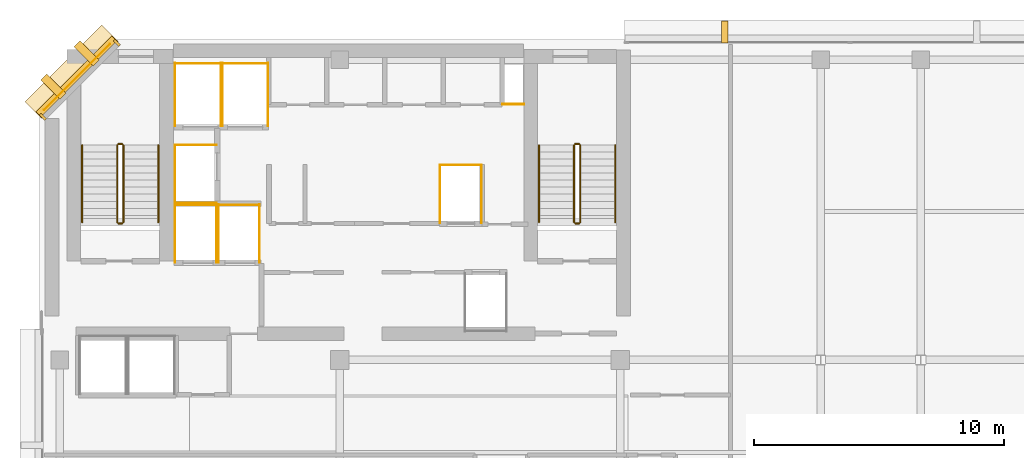
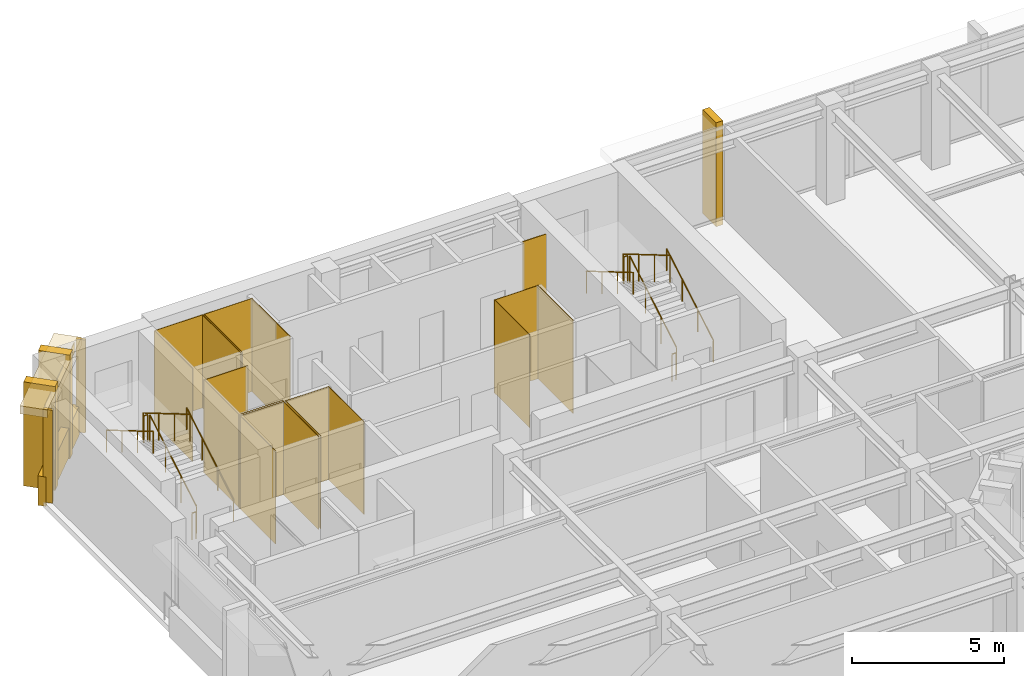
# One storey, part 11 of 12: 27 coverings, 12 railings.
"""IFC4 building model written with IfcOpenShell, lengths in metres."""

from ifc_helpers import new_model, si_unit, direction, frame, origin, origin_2d, place, context, subcontext, project, spatial, polyline, rectangle, circle, outline, extrude, material, layer, layer_set, type_object, element, save


model = new_model("IFC4")

# Units and contexts
model_context = context("Model", 3, precision=1e-05, world=origin(), true_north=direction((0.0, 1.0)))
body_context = subcontext(model_context, "Body", "Model", "MODEL_VIEW")
ifc_project = project(units=[si_unit("LENGTHUNIT", "METRE"), si_unit("AREAUNIT", "SQUARE_METRE"), si_unit("VOLUMEUNIT", "CUBIC_METRE"), si_unit("PLANEANGLEUNIT", "RADIAN"), si_unit("MASSUNIT", "GRAM", prefix="KILO")], contexts=[model_context])

# Site, building, storey
site_placement = place(None, origin())
site = spatial("IfcSite", under=ifc_project, at=site_placement, CompositionType="ELEMENT")
building_placement = place(site_placement, origin())
building = spatial("IfcBuilding", under=site, at=building_placement, Name="Kefirva Bronze Tower", CompositionType="ELEMENT")
storey_placement = place(building_placement, frame((0.0, 0.0, 327.68994140625)))
storey = spatial("IfcBuildingStorey", under=building, at=storey_placement, Name="L80", CompositionType="ELEMENT", Elevation=327.68994140625)

# Coverings
ifc_material_1 = material(Name="Bronze anodised aluminium", Category="aluminium")
ifc_layer_1 = layer(ifc_material_1, 0.02001953125, Name="Bronze anodised aluminium")
ifc_layer_set_1 = layer_set([ifc_layer_1], Name="Bronze anodised aluminium")
covering_type_1 = type_object("IfcCoveringType", Name="Anodised Bronze Spandrel Cladding 20mm", PredefinedType="CLADDING", material=ifc_layer_set_1)
covering_1_placement = place(storey_placement, frame((1.492919921875, 44.507080078125, 3.320068359375), z_axis=(0.0, 0.0, 1.0), x_axis=(-0.707106781187, -0.707106781187, 0.0)))
element("IfcCovering", 1, at=covering_1_placement, inside=storey, type_object=covering_type_1, Name="L80 Bronze Spandrel Cladding 9", PredefinedType="CLADDING", context=body_context, shape_type="SweptSolid", body=[
    extrude(rectangle(XDim=3.719482421875, YDim=0.02001953125, at=origin_2d()), origin(), (0.0, 0.0, 1.0), 0.39990234375),
])
for number, where, z_axis, x_axis, name in (
    (2, (3.08837890625, 45.862060546875, 0.0), (0.0, 0.0, 1.0), (-0.707106781187, -0.707106781187, 0.0), "L80 Facade Joint Closure Panel 9S"),
    (3, (0.137939453125, 42.91162109375, 0.0), (0.0, 0.0, 1.0), (-0.707106781187, -0.707106781187, 0.0), "L80 Facade Joint Closure Panel 9E"),
):
    element("IfcCovering", number, at=place(storey_placement, frame(where, z_axis=z_axis, x_axis=x_axis)), inside=storey, type_object=covering_type_1, Name=name, PredefinedType="CLADDING", context=body_context, shape_type="SweptSolid", body=[
        extrude(rectangle(XDim=0.10009765625, YDim=0.320068359375, at=origin_2d()), origin(), (0.0, 0.0, 1.0), 3.739990234375),
    ])
covering_2_placement = place(storey_placement, frame((1.4716796875, 44.5283203125, -0.15966796875), z_axis=(0.0, 0.0, 1.0), x_axis=(-0.707106781187, -0.707106781187, 0.0)))
element("IfcCovering", 4, at=covering_2_placement, inside=storey, type_object=covering_type_1, Name="L80 Streamline Horizontal Spandrel Band 13", PredefinedType="CLADDING", context=body_context, shape_type="SweptSolid", body=[
    extrude(rectangle(XDim=4.28271484375, YDim=0.280029296875, at=origin_2d()), origin(), (0.0, 0.0, 1.0), 1.179931640625),
])
covering_3_placement = place(storey_placement, origin())
element("IfcCovering", 5, at=covering_3_placement, inside=storey, type_object=covering_type_1, Name="L80 Lift FF1 Hoistway Liner N", PredefinedType="CLADDING", context=body_context, shape_type="SweptSolid", body=[
    extrude(outline(polyline([(5.39990234375, 39.389892578125), (7.080078125, 39.389892578125), (7.080078125, 39.409912109375), (5.39990234375, 39.409912109375), (5.39990234375, 39.389892578125)])), origin(), (0.0, 0.0, 1.0), 3.739990234375),
])
covering_4_placement = place(storey_placement, origin())
element("IfcCovering", 6, at=covering_4_placement, inside=storey, type_object=covering_type_1, Name="L80 Lift FF1 Hoistway Liner W", PredefinedType="CLADDING", context=body_context, shape_type="SweptSolid", body=[
    extrude(outline(polyline([(5.409912109375, 37.080078125), (5.429931640625, 37.080078125), (5.429931640625, 39.419921875), (5.409912109375, 39.419921875), (5.409912109375, 37.080078125)])), origin(), (0.0, 0.0, 1.0), 3.739990234375),
])
covering_5_placement = place(storey_placement, origin())
element("IfcCovering", 7, at=covering_5_placement, inside=storey, type_object=covering_type_1, Name="L80 Lift FF1 Hoistway Liner E", PredefinedType="CLADDING", context=body_context, shape_type="SweptSolid", body=[
    extrude(outline(polyline([(7.050048828125, 37.080078125), (7.070068359375, 37.080078125), (7.070068359375, 39.419921875), (7.050048828125, 39.419921875), (7.050048828125, 37.080078125)])), origin(), (0.0, 0.0, 1.0), 3.739990234375),
])
covering_6_placement = place(storey_placement, origin())
element("IfcCovering", 8, at=covering_6_placement, inside=storey, type_object=covering_type_1, Name="L80 Lift FF2 Hoistway Liner N", PredefinedType="CLADDING", context=body_context, shape_type="SweptSolid", body=[
    extrude(outline(polyline([(7.1201171875, 39.389892578125), (8.800048828125, 39.389892578125), (8.800048828125, 39.409912109375), (7.1201171875, 39.409912109375), (7.1201171875, 39.389892578125)])), origin(), (0.0, 0.0, 1.0), 3.739990234375),
])
covering_7_placement = place(storey_placement, origin())
element("IfcCovering", 9, at=covering_7_placement, inside=storey, type_object=covering_type_1, Name="L80 Lift FF2 Hoistway Liner W", PredefinedType="CLADDING", context=body_context, shape_type="SweptSolid", body=[
    extrude(outline(polyline([(7.1298828125, 37.080078125), (7.14990234375, 37.080078125), (7.14990234375, 39.419921875), (7.1298828125, 39.419921875), (7.1298828125, 37.080078125)])), origin(), (0.0, 0.0, 1.0), 3.739990234375),
])
covering_8_placement = place(storey_placement, origin())
element("IfcCovering", 10, at=covering_8_placement, inside=storey, type_object=covering_type_1, Name="L80 Lift FF2 Hoistway Liner E", PredefinedType="CLADDING", context=body_context, shape_type="SweptSolid", body=[
    extrude(outline(polyline([(8.77001953125, 37.080078125), (8.7900390625, 37.080078125), (8.7900390625, 39.419921875), (8.77001953125, 39.419921875), (8.77001953125, 37.080078125)])), origin(), (0.0, 0.0, 1.0), 3.739990234375),
])
covering_9_placement = place(storey_placement, origin())
element("IfcCovering", 11, at=covering_9_placement, inside=storey, type_object=covering_type_1, Name="L80 Lift SV1 Hoistway Liner N", PredefinedType="CLADDING", context=body_context, shape_type="SweptSolid", body=[
    extrude(outline(polyline([(5.39990234375, 45.0400390625), (7.260009765625, 45.0400390625), (7.260009765625, 45.06005859375), (5.39990234375, 45.06005859375), (5.39990234375, 45.0400390625)])), origin(), (0.0, 0.0, 1.0), 3.739990234375),
])
covering_10_placement = place(storey_placement, origin())
element("IfcCovering", 12, at=covering_10_placement, inside=storey, type_object=covering_type_1, Name="L80 Lift SV1 Hoistway Liner W", PredefinedType="CLADDING", context=body_context, shape_type="SweptSolid", body=[
    extrude(outline(polyline([(5.409912109375, 42.530029296875), (5.429931640625, 42.530029296875), (5.429931640625, 45.070068359375), (5.409912109375, 45.070068359375), (5.409912109375, 42.530029296875)])), origin(), (0.0, 0.0, 1.0), 3.739990234375),
])
covering_11_placement = place(storey_placement, origin())
element("IfcCovering", 13, at=covering_11_placement, inside=storey, type_object=covering_type_1, Name="L80 Lift SV1 Hoistway Liner E", PredefinedType="CLADDING", context=body_context, shape_type="SweptSolid", body=[
    extrude(outline(polyline([(7.22998046875, 42.530029296875), (7.25, 42.530029296875), (7.25, 45.070068359375), (7.22998046875, 45.070068359375), (7.22998046875, 42.530029296875)])), origin(), (0.0, 0.0, 1.0), 3.739990234375),
])
covering_12_placement = place(storey_placement, origin())
element("IfcCovering", 14, at=covering_12_placement, inside=storey, type_object=covering_type_1, Name="L80 Lift SV2 Hoistway Liner N", PredefinedType="CLADDING", context=body_context, shape_type="SweptSolid", body=[
    extrude(outline(polyline([(7.280029296875, 45.0400390625), (9.139892578125, 45.0400390625), (9.139892578125, 45.06005859375), (7.280029296875, 45.06005859375), (7.280029296875, 45.0400390625)])), origin(), (0.0, 0.0, 1.0), 3.739990234375),
])
covering_13_placement = place(storey_placement, origin())
element("IfcCovering", 15, at=covering_13_placement, inside=storey, type_object=covering_type_1, Name="L80 Lift SV2 Hoistway Liner W", PredefinedType="CLADDING", context=body_context, shape_type="SweptSolid", body=[
    extrude(outline(polyline([(7.2900390625, 42.530029296875), (7.31005859375, 42.530029296875), (7.31005859375, 45.070068359375), (7.2900390625, 45.070068359375), (7.2900390625, 42.530029296875)])), origin(), (0.0, 0.0, 1.0), 3.739990234375),
])
covering_14_placement = place(storey_placement, origin())
element("IfcCovering", 16, at=covering_14_placement, inside=storey, type_object=covering_type_1, Name="L80 Lift SV2 Hoistway Liner E", PredefinedType="CLADDING", context=body_context, shape_type="SweptSolid", body=[
    extrude(outline(polyline([(9.110107421875, 42.530029296875), (9.1298828125, 42.530029296875), (9.1298828125, 45.070068359375), (9.110107421875, 45.070068359375), (9.110107421875, 42.530029296875)])), origin(), (0.0, 0.0, 1.0), 3.739990234375),
])
covering_15_placement = place(storey_placement, origin())
element("IfcCovering", 17, at=covering_15_placement, inside=storey, type_object=covering_type_1, Name="L80 Lift HP2 Hoistway Liner N", PredefinedType="CLADDING", context=body_context, shape_type="SweptSolid", body=[
    extrude(outline(polyline([(15.97998046875, 40.969970703125), (17.669921875, 40.969970703125), (17.669921875, 40.989990234375), (15.97998046875, 40.989990234375), (15.97998046875, 40.969970703125)])), origin(), (0.0, 0.0, 1.0), 3.739990234375),
])
covering_16_placement = place(storey_placement, origin())
element("IfcCovering", 18, at=covering_16_placement, inside=storey, type_object=covering_type_1, Name="L80 Lift HP2 Hoistway Liner W", PredefinedType="CLADDING", context=body_context, shape_type="SweptSolid", body=[
    extrude(outline(polyline([(15.989990234375, 38.659912109375), (16.010009765625, 38.659912109375), (16.010009765625, 41.0), (15.989990234375, 41.0), (15.989990234375, 38.659912109375)])), origin(), (0.0, 0.0, 1.0), 3.739990234375),
])
covering_17_placement = place(storey_placement, origin())
element("IfcCovering", 19, at=covering_17_placement, inside=storey, type_object=covering_type_1, Name="L80 Lift HP2 Hoistway Liner E", PredefinedType="CLADDING", context=body_context, shape_type="SweptSolid", body=[
    extrude(outline(polyline([(17.639892578125, 38.659912109375), (17.659912109375, 38.659912109375), (17.659912109375, 41.0), (17.639892578125, 41.0), (17.639892578125, 38.659912109375)])), origin(), (0.0, 0.0, 1.0), 3.739990234375),
])
covering_18_placement = place(storey_placement, origin())
element("IfcCovering", 20, at=covering_18_placement, inside=storey, type_object=covering_type_1, Name="L80 Lift HP3 Hoistway Liner N", PredefinedType="CLADDING", context=body_context, shape_type="SweptSolid", body=[
    extrude(outline(polyline([(5.39990234375, 41.77001953125), (7.080078125, 41.77001953125), (7.080078125, 41.7900390625), (5.39990234375, 41.7900390625), (5.39990234375, 41.77001953125)])), origin(), (0.0, 0.0, 1.0), 3.739990234375),
])
covering_19_placement = place(storey_placement, origin())
element("IfcCovering", 21, at=covering_19_placement, inside=storey, type_object=covering_type_1, Name="L80 Lift HP3 Hoistway Liner S", PredefinedType="CLADDING", context=body_context, shape_type="SweptSolid", body=[
    extrude(outline(polyline([(5.39990234375, 39.469970703125), (7.080078125, 39.469970703125), (7.080078125, 39.489990234375), (5.39990234375, 39.489990234375), (5.39990234375, 39.469970703125)])), origin(), (0.0, 0.0, 1.0), 3.739990234375),
])
covering_20_placement = place(storey_placement, origin())
element("IfcCovering", 22, at=covering_20_placement, inside=storey, type_object=covering_type_1, Name="L80 Lift HP3 Hoistway Liner W", PredefinedType="CLADDING", context=body_context, shape_type="SweptSolid", body=[
    extrude(outline(polyline([(5.409912109375, 39.4599609375), (5.429931640625, 39.4599609375), (5.429931640625, 41.800048828125), (5.409912109375, 41.800048828125), (5.409912109375, 39.4599609375)])), origin(), (0.0, 0.0, 1.0), 3.739990234375),
])
covering_21_placement = place(storey_placement, origin())
element("IfcCovering", 23, at=covering_21_placement, inside=storey, type_object=covering_type_1, Name="L80 Core MEP Riser Shaft Liner South", PredefinedType="CLADDING", context=body_context, shape_type="SweptSolid", body=[
    extrude(outline(polyline([(18.47998046875, 43.39990234375), (19.360107421875, 43.39990234375), (19.360107421875, 43.429931640625), (18.47998046875, 43.429931640625), (18.47998046875, 43.39990234375)])), origin(), (0.0, 0.0, 1.0), 3.739990234375),
])

# Railings
ifc_material_2 = material(Name="Stainless steel 316", Category="steel")
railing_type_1 = type_object("IfcRailingType", Name="Interior Stair Guardrail 1100mm", PredefinedType="GUARDRAIL", material=ifc_material_2)
railing_1_placement = place(storey_placement, frame((3.35009765625, 38.699951171875, 0.1650390625)))
element("IfcRailing", 24, at=railing_1_placement, inside=storey, type_object=railing_type_1, Name="L80 ST-1 stair guard 1", PredefinedType="GUARDRAIL", context=body_context, shape_type="SweptSolid", body=[
    extrude(circle(Radius=0.02392578125, at=origin_2d()), frame((0.0, 0.0, 1.076171875), z_axis=(0.0, 0.861551262678, 0.507670583921), x_axis=(-1.0, 0.0, 0.0)), (0.0, 0.0, 1.0), 3.574951171875),
    extrude(circle(Radius=0.02099609375, at=origin_2d()), origin(), (0.0, 0.0, 1.0), 1.052001953125),
    extrude(circle(Radius=0.02099609375, at=origin_2d()), frame((0.0, 1.026611328125, 0.60498046875)), (0.0, 0.0, 1.0), 1.052001953125),
    extrude(circle(Radius=0.02099609375, at=origin_2d()), frame((0.0, 2.053466796875, 1.2099609375)), (0.0, 0.0, 1.0), 1.052001953125),
    extrude(circle(Radius=0.02099609375, at=origin_2d()), frame((0.0, 3.080078125, 1.81494140625)), (0.0, 0.0, 1.0), 1.052001953125),
])
railing_2_placement = place(storey_placement, frame((3.300048828125, 41.830078125, 1.97998046875)))
element("IfcRailing", 25, at=railing_2_placement, inside=storey, type_object=railing_type_1, Name="L80 ST-1 stair guard 2", PredefinedType="GUARDRAIL", context=body_context, shape_type="SweptSolid", body=[
    extrude(circle(Radius=0.02392578125, at=origin_2d()), frame((0.0, 0.0, 1.076171875), z_axis=(-1.0, 0.0, 0.0), x_axis=(0.0, -1.0, 0.0)), (0.0, 0.0, 1.0), 0.150146484375),
    extrude(circle(Radius=0.02099609375, at=origin_2d()), origin(), (0.0, 0.0, 1.0), 1.052001953125),
    extrude(circle(Radius=0.02099609375, at=origin_2d()), frame((-0.150146484375, 0.0, 0.0)), (0.0, 0.0, 1.0), 1.052001953125),
])
railing_3_placement = place(storey_placement, frame((3.10009765625, 41.780029296875, 2.14501953125)))
element("IfcRailing", 26, at=railing_3_placement, inside=storey, type_object=railing_type_1, Name="L80 ST-1 stair guard 3", PredefinedType="GUARDRAIL", context=body_context, shape_type="SweptSolid", body=[
    extrude(circle(Radius=0.02392578125, at=origin_2d()), frame((0.0, 0.0, 1.076171875), z_axis=(0.0, -0.861551262678, 0.507670583921), x_axis=(1.0, 0.0, 0.0)), (0.0, 0.0, 1.0), 3.574951171875),
    extrude(circle(Radius=0.02099609375, at=origin_2d()), origin(), (0.0, 0.0, 1.0), 1.052001953125),
    extrude(circle(Radius=0.02099609375, at=origin_2d()), frame((0.0, -1.026611328125, 0.60498046875)), (0.0, 0.0, 1.0), 1.052001953125),
    extrude(circle(Radius=0.02099609375, at=origin_2d()), frame((0.0, -2.053466796875, 1.2099609375)), (0.0, 0.0, 1.0), 1.052001953125),
    extrude(circle(Radius=0.02099609375, at=origin_2d()), frame((0.0, -3.080078125, 1.81494140625)), (0.0, 0.0, 1.0), 1.052001953125),
])
railing_4_placement = place(storey_placement, frame((3.300048828125, 38.64990234375, 0.0)))
element("IfcRailing", 27, at=railing_4_placement, inside=storey, type_object=railing_type_1, Name="L80 ST-1 stair guard 4", PredefinedType="GUARDRAIL", context=body_context, shape_type="SweptSolid", body=[
    extrude(circle(Radius=0.02392578125, at=origin_2d()), frame((0.0, 0.0, 1.076171875), z_axis=(-1.0, 0.0, 0.0), x_axis=(0.0, -1.0, 0.0)), (0.0, 0.0, 1.0), 0.150146484375),
    extrude(circle(Radius=0.02099609375, at=origin_2d()), origin(), (0.0, 0.0, 1.0), 1.052001953125),
    extrude(circle(Radius=0.02099609375, at=origin_2d()), frame((-0.150146484375, 0.0, 0.0)), (0.0, 0.0, 1.0), 1.052001953125),
])
railing_5_placement = place(storey_placement, frame((21.60009765625, 38.699951171875, 0.1650390625)))
element("IfcRailing", 28, at=railing_5_placement, inside=storey, type_object=railing_type_1, Name="L80 ST-2 stair guard 1", PredefinedType="GUARDRAIL", context=body_context, shape_type="SweptSolid", body=[
    extrude(circle(Radius=0.02392578125, at=origin_2d()), frame((0.0, 0.0, 1.076171875), z_axis=(0.0, 0.861551262678, 0.507670583921), x_axis=(-1.0, 0.0, 0.0)), (0.0, 0.0, 1.0), 3.574951171875),
    extrude(circle(Radius=0.02099609375, at=origin_2d()), origin(), (0.0, 0.0, 1.0), 1.052001953125),
    extrude(circle(Radius=0.02099609375, at=origin_2d()), frame((0.0, 1.026611328125, 0.60498046875)), (0.0, 0.0, 1.0), 1.052001953125),
    extrude(circle(Radius=0.02099609375, at=origin_2d()), frame((0.0, 2.053466796875, 1.2099609375)), (0.0, 0.0, 1.0), 1.052001953125),
    extrude(circle(Radius=0.02099609375, at=origin_2d()), frame((0.0, 3.080078125, 1.81494140625)), (0.0, 0.0, 1.0), 1.052001953125),
])
railing_6_placement = place(storey_placement, frame((21.550048828125, 41.830078125, 1.97998046875)))
element("IfcRailing", 29, at=railing_6_placement, inside=storey, type_object=railing_type_1, Name="L80 ST-2 stair guard 2", PredefinedType="GUARDRAIL", context=body_context, shape_type="SweptSolid", body=[
    extrude(circle(Radius=0.02392578125, at=origin_2d()), frame((0.0, 0.0, 1.076171875), z_axis=(-1.0, 0.0, 0.0), x_axis=(0.0, -1.0, 0.0)), (0.0, 0.0, 1.0), 0.150146484375),
    extrude(circle(Radius=0.02099609375, at=origin_2d()), origin(), (0.0, 0.0, 1.0), 1.052001953125),
    extrude(circle(Radius=0.02099609375, at=origin_2d()), frame((-0.150146484375, 0.0, 0.0)), (0.0, 0.0, 1.0), 1.052001953125),
])
railing_7_placement = place(storey_placement, frame((21.35009765625, 41.780029296875, 2.14501953125)))
element("IfcRailing", 30, at=railing_7_placement, inside=storey, type_object=railing_type_1, Name="L80 ST-2 stair guard 3", PredefinedType="GUARDRAIL", context=body_context, shape_type="SweptSolid", body=[
    extrude(circle(Radius=0.02392578125, at=origin_2d()), frame((0.0, 0.0, 1.076171875), z_axis=(0.0, -0.861551262678, 0.507670583921), x_axis=(1.0, 0.0, 0.0)), (0.0, 0.0, 1.0), 3.574951171875),
    extrude(circle(Radius=0.02099609375, at=origin_2d()), origin(), (0.0, 0.0, 1.0), 1.052001953125),
    extrude(circle(Radius=0.02099609375, at=origin_2d()), frame((0.0, -1.026611328125, 0.60498046875)), (0.0, 0.0, 1.0), 1.052001953125),
    extrude(circle(Radius=0.02099609375, at=origin_2d()), frame((0.0, -2.053466796875, 1.2099609375)), (0.0, 0.0, 1.0), 1.052001953125),
    extrude(circle(Radius=0.02099609375, at=origin_2d()), frame((0.0, -3.080078125, 1.81494140625)), (0.0, 0.0, 1.0), 1.052001953125),
])
railing_8_placement = place(storey_placement, frame((21.550048828125, 38.64990234375, 0.0)))
element("IfcRailing", 31, at=railing_8_placement, inside=storey, type_object=railing_type_1, Name="L80 ST-2 stair guard 4", PredefinedType="GUARDRAIL", context=body_context, shape_type="SweptSolid", body=[
    extrude(circle(Radius=0.02392578125, at=origin_2d()), frame((0.0, 0.0, 1.076171875), z_axis=(-1.0, 0.0, 0.0), x_axis=(0.0, -1.0, 0.0)), (0.0, 0.0, 1.0), 0.150146484375),
    extrude(circle(Radius=0.02099609375, at=origin_2d()), origin(), (0.0, 0.0, 1.0), 1.052001953125),
    extrude(circle(Radius=0.02099609375, at=origin_2d()), frame((-0.150146484375, 0.0, 0.0)), (0.0, 0.0, 1.0), 1.052001953125),
])
railing_type_2 = type_object("IfcRailingType", Name="Stair Pitch Handrail 900mm", PredefinedType="HANDRAIL", material=ifc_material_2)
railing_9_placement = place(storey_placement, frame((4.75, 38.699951171875, 0.1650390625)))
element("IfcRailing", 32, at=railing_9_placement, inside=storey, type_object=railing_type_2, Name="L80 ST-1 stair handrail 1", PredefinedType="HANDRAIL", context=body_context, shape_type="SweptSolid", body=[
    extrude(circle(Radius=0.02392578125, at=origin_2d()), frame((0.0, 0.0, 0.8759765625), z_axis=(0.0, 0.861551262678, 0.507670583921), x_axis=(-1.0, 0.0, 0.0)), (0.0, 0.0, 1.0), 3.574951171875),
    extrude(circle(Radius=0.02099609375, at=origin_2d()), origin(), (0.0, 0.0, 1.0), 0.851806640625),
    extrude(circle(Radius=0.02099609375, at=origin_2d()), frame((0.0, 1.026611328125, 0.60498046875)), (0.0, 0.0, 1.0), 0.851806640625),
    extrude(circle(Radius=0.02099609375, at=origin_2d()), frame((0.0, 2.053466796875, 1.2099609375)), (0.0, 0.0, 1.0), 0.851806640625),
    extrude(circle(Radius=0.02099609375, at=origin_2d()), frame((0.0, 3.080078125, 1.81494140625)), (0.0, 0.0, 1.0), 0.851806640625),
])
railing_10_placement = place(storey_placement, frame((1.699951171875, 41.780029296875, 2.14501953125)))
element("IfcRailing", 33, at=railing_10_placement, inside=storey, type_object=railing_type_2, Name="L80 ST-1 stair handrail 2", PredefinedType="HANDRAIL", context=body_context, shape_type="SweptSolid", body=[
    extrude(circle(Radius=0.02392578125, at=origin_2d()), frame((0.0, 0.0, 0.8759765625), z_axis=(0.0, -0.861551262678, 0.507670583921), x_axis=(1.0, 0.0, 0.0)), (0.0, 0.0, 1.0), 3.574951171875),
    extrude(circle(Radius=0.02099609375, at=origin_2d()), origin(), (0.0, 0.0, 1.0), 0.851806640625),
    extrude(circle(Radius=0.02099609375, at=origin_2d()), frame((0.0, -1.026611328125, 0.60498046875)), (0.0, 0.0, 1.0), 0.851806640625),
    extrude(circle(Radius=0.02099609375, at=origin_2d()), frame((0.0, -2.053466796875, 1.2099609375)), (0.0, 0.0, 1.0), 0.851806640625),
    extrude(circle(Radius=0.02099609375, at=origin_2d()), frame((0.0, -3.080078125, 1.81494140625)), (0.0, 0.0, 1.0), 0.851806640625),
])
railing_11_placement = place(storey_placement, frame((23.0, 38.699951171875, 0.1650390625)))
element("IfcRailing", 34, at=railing_11_placement, inside=storey, type_object=railing_type_2, Name="L80 ST-2 stair handrail 1", PredefinedType="HANDRAIL", context=body_context, shape_type="SweptSolid", body=[
    extrude(circle(Radius=0.02392578125, at=origin_2d()), frame((0.0, 0.0, 0.8759765625), z_axis=(0.0, 0.861551262678, 0.507670583921), x_axis=(-1.0, 0.0, 0.0)), (0.0, 0.0, 1.0), 3.574951171875),
    extrude(circle(Radius=0.02099609375, at=origin_2d()), origin(), (0.0, 0.0, 1.0), 0.851806640625),
    extrude(circle(Radius=0.02099609375, at=origin_2d()), frame((0.0, 1.026611328125, 0.60498046875)), (0.0, 0.0, 1.0), 0.851806640625),
    extrude(circle(Radius=0.02099609375, at=origin_2d()), frame((0.0, 2.053466796875, 1.2099609375)), (0.0, 0.0, 1.0), 0.851806640625),
    extrude(circle(Radius=0.02099609375, at=origin_2d()), frame((0.0, 3.080078125, 1.81494140625)), (0.0, 0.0, 1.0), 0.851806640625),
])
railing_12_placement = place(storey_placement, frame((19.949951171875, 41.780029296875, 2.14501953125)))
element("IfcRailing", 35, at=railing_12_placement, inside=storey, type_object=railing_type_2, Name="L80 ST-2 stair handrail 2", PredefinedType="HANDRAIL", context=body_context, shape_type="SweptSolid", body=[
    extrude(circle(Radius=0.02392578125, at=origin_2d()), frame((0.0, 0.0, 0.8759765625), z_axis=(0.0, -0.861551262678, 0.507670583921), x_axis=(1.0, 0.0, 0.0)), (0.0, 0.0, 1.0), 3.574951171875),
    extrude(circle(Radius=0.02099609375, at=origin_2d()), origin(), (0.0, 0.0, 1.0), 0.851806640625),
    extrude(circle(Radius=0.02099609375, at=origin_2d()), frame((0.0, -1.026611328125, 0.60498046875)), (0.0, 0.0, 1.0), 0.851806640625),
    extrude(circle(Radius=0.02099609375, at=origin_2d()), frame((0.0, -2.053466796875, 1.2099609375)), (0.0, 0.0, 1.0), 0.851806640625),
    extrude(circle(Radius=0.02099609375, at=origin_2d()), frame((0.0, -3.080078125, 1.81494140625)), (0.0, 0.0, 1.0), 0.851806640625),
])

# Coverings
ifc_layer_2 = layer(ifc_material_1, 0.179931640625, Name="Bronze anodised aluminium")
ifc_layer_set_2 = layer_set([ifc_layer_2], Name="Bronze anodised aluminium")
covering_type_2 = type_object("IfcCoveringType", Name="Streamline Bronze Sunshade Eyebrow Cladding 180mm", PredefinedType="CLADDING", material=ifc_layer_set_2)
covering_22_placement = place(storey_placement, frame((1.28076171875, 44.71923828125, 3.419921875), z_axis=(0.0, 0.0, 1.0), x_axis=(-0.707106781187, -0.707106781187, 0.0)))
element("IfcCovering", 36, at=covering_22_placement, inside=storey, type_object=covering_type_2, Name="L80 Streamline Bronze Sunshade Eyebrow 13", PredefinedType="CLADDING", context=body_context, shape_type="SweptSolid", body=[
    extrude(rectangle(XDim=4.322509765625, YDim=0.93994140625, at=origin_2d()), origin(), (0.0, 0.0, 1.0), 0.320068359375),
])
ifc_layer_3 = layer(ifc_material_1, 0.260009765625, Name="Bronze anodised aluminium")
ifc_layer_set_3 = layer_set([ifc_layer_3], Name="Bronze anodised aluminium")
covering_type_3 = type_object("IfcCoveringType", Name="Unbroken Bronze Buttress Fin Cladding 260mm", PredefinedType="CLADDING", material=ifc_layer_set_3)
covering_23_placement = place(storey_placement, frame((27.364013671875, 46.300048828125, -0.2197265625), z_axis=(0.0, 0.0, 1.0), x_axis=(-1.0, 0.0, 0.0)))
element("IfcCovering", 37, at=covering_23_placement, inside=storey, type_object=covering_type_3, Name="L80 Unbroken Vertical Bronze Rib Fin 18", PredefinedType="CLADDING", context=body_context, shape_type="SweptSolid", body=[
    extrude(rectangle(XDim=0.260009765625, YDim=0.8798828125, at=origin_2d()), origin(), (0.0, 0.0, 1.0), 4.179931640625),
])
for number, where, z_axis, x_axis, name in (
    (38, (1.877197265625, 45.44287109375, -0.2197265625), (0.0, 0.0, 1.0), (-0.707106781187, -0.707106781187, 0.0), "L80 Chamfered Corner Buttress Fin Cladding 19"),
    (39, (0.55712890625, 44.122802734375, -0.2197265625), (0.0, 0.0, 1.0), (-0.707106781187, -0.707106781187, 0.0), "L80 Chamfered Corner Buttress Fin Cladding 20"),
):
    element("IfcCovering", number, at=place(storey_placement, frame(where, z_axis=z_axis, x_axis=x_axis)), inside=storey, type_object=covering_type_3, Name=name, PredefinedType="CLADDING", context=body_context, shape_type="SweptSolid", body=[
        extrude(rectangle(XDim=0.340087890625, YDim=1.080078125, at=origin_2d()), origin(), (0.0, 0.0, 1.0), 4.179931640625),
    ])

save(model, "model.ifc")
